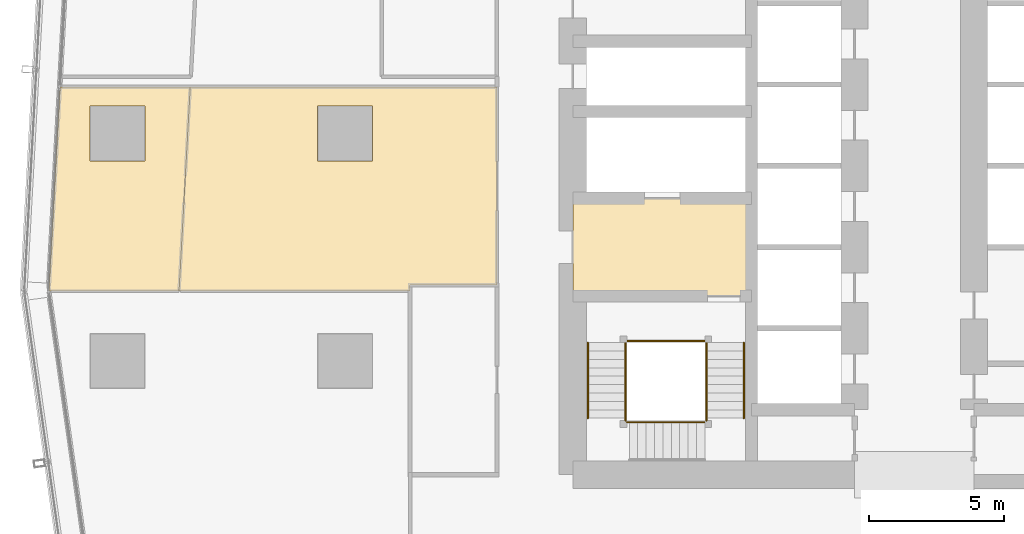
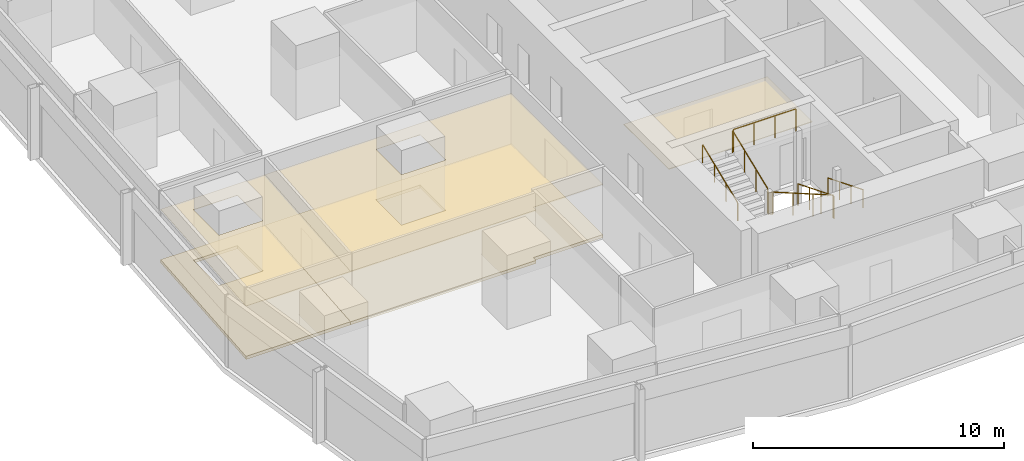
# One storey, part 34 of 39: 9 railings, 5 coverings.
"""IFC4 building model written with IfcOpenShell, lengths in metres."""

import ifcopenshell
import ifcopenshell.guid

model = None  # the IFC model being written
_history = None  # IfcOwnerHistory: only IFC2X3 demands one
_inside = {}  # id of a spatial element -> (the spatial element, [elements in it])
_under = {}  # id of a project, library or spatial element -> (it, [spatial elements below it])
_declared = {}  # id of a project -> (the project, [libraries it declares])
_typed = {}  # id of a type object -> (the type object, [elements of that type])
_made_of = {}  # id of a material, layer set ... -> (it, [elements and type objects made of it])


def new_model(schema):
    """Start an empty IFC model of exactly this schema.

    Asked for "IFC4X3", IfcOpenShell would pick the latest addendum, in which some entities
    have other attributes; the version numbers below select the first issue.
    IFC2X3 requires an IfcOwnerHistory on every rooted entity: one is made here for all.
    """
    global model, _history
    if schema == "IFC4X3":
        model = ifcopenshell.file(schema_version=(4, 3, 0, 0))
    else:
        model = ifcopenshell.file(schema=schema)
    _inside.clear()
    _under.clear()
    _declared.clear()
    _typed.clear()
    _made_of.clear()
    _history = None
    if model.schema == "IFC2X3":
        org = make("IfcOrganization", Name="unknown")
        user = make(
            "IfcPersonAndOrganization",
            ThePerson=make("IfcPerson", FamilyName="unknown"),
            TheOrganization=org,
        )
        app = make(
            "IfcApplication",
            ApplicationDeveloper=org,
            Version="unknown",
            ApplicationFullName="unknown",
            ApplicationIdentifier="unknown",
        )
        _history = make(
            "IfcOwnerHistory",
            OwningUser=user,
            OwningApplication=app,
            ChangeAction="ADDED",
            CreationDate=0,
        )
    return model


def make(cls, **values):
    """One entity of the class cls with the attributes given. An attribute that is None is left unset."""
    return model.create_entity(
        cls, **{name: value for name, value in values.items() if value is not None}
    )


def rooted(cls, **values):
    """An entity with a GlobalId (a new one), such as an element, a storey or a relation."""
    return make(cls, GlobalId=ifcopenshell.guid.new(), OwnerHistory=_history, **values)


def si_unit(unit_type, name, prefix=None):
    """IfcSIUnit, for example si_unit("LENGTHUNIT", "METRE", prefix="MILLI")."""
    return make("IfcSIUnit", UnitType=unit_type, Prefix=prefix, Name=name)


def assignment(units):
    """IfcUnitAssignment: the units of a project."""
    return None if units is None else make("IfcUnitAssignment", Units=units)


def point(xyz):
    """IfcCartesianPoint."""
    return None if xyz is None else make("IfcCartesianPoint", Coordinates=xyz)


def direction(xyz):
    """IfcDirection."""
    return None if xyz is None else make("IfcDirection", DirectionRatios=xyz)


def frame(location, z_axis=None, x_axis=None):
    """IfcAxis2Placement3D, a coordinate frame: its origin and axes. An axis left out is left unset."""
    return make(
        "IfcAxis2Placement3D",
        Location=point(location),
        Axis=direction(z_axis),
        RefDirection=direction(x_axis),
    )


def frame_2d(location, x_axis=None):
    """IfcAxis2Placement2D, a coordinate frame in the plane: its origin and x axis."""
    return make(
        "IfcAxis2Placement2D", Location=point(location), RefDirection=direction(x_axis)
    )


def origin():
    """The frame at (0, 0, 0) with its axes left unset."""
    return frame((0.0, 0.0, 0.0))


def origin_2d():
    """The frame at (0, 0) in the plane with its x axis left unset."""
    return frame_2d((0.0, 0.0))


def place(relative_to, where):
    """IfcLocalPlacement: puts the frame where relative to a parent placement (None: the world)."""
    return make(
        "IfcLocalPlacement", PlacementRelTo=relative_to, RelativePlacement=where
    )


def context(
    kind, dimensions, precision=None, world=None, true_north=None, identifier=None
):
    """IfcGeometricRepresentationContext, for example the 3D "Model" context."""
    return make(
        "IfcGeometricRepresentationContext",
        ContextIdentifier=identifier,
        ContextType=kind,
        CoordinateSpaceDimension=dimensions,
        Precision=precision,
        WorldCoordinateSystem=world,
        TrueNorth=true_north,
    )


def subcontext(parent, identifier, kind, view, scale=None):
    """IfcGeometricRepresentationSubContext, for example "Body" below "Model"."""
    return make(
        "IfcGeometricRepresentationSubContext",
        ContextIdentifier=identifier,
        ContextType=kind,
        ParentContext=parent,
        TargetScale=scale,
        TargetView=view,
    )


def project(units=None, contexts=None):
    """IfcProject with its units and contexts."""
    return rooted(
        "IfcProject",
        Name="project",
        RepresentationContexts=contexts,
        UnitsInContext=assignment(units),
    )


def spatial(cls, under=None, at=None, **own):
    """A site, building, storey or space (cls), placed at a placement, below another one or the project."""
    s = rooted(cls, ObjectPlacement=at, **own)
    if under is not None:
        _under.setdefault(under.id(), (under, []))[1].append(s)
    return s


def polyline(points):
    """IfcPolyline through the points."""
    return make("IfcPolyline", Points=[point(p) for p in points])


def profile(cls, at=None, kind="AREA", **sizes):
    """A parametric profile (cls). Its sizes go by their IFC names, for example OverallWidth=200.0."""
    return make(cls, ProfileType=kind, Position=at, **sizes)


def circle(**sizes):
    """IfcCircleProfileDef."""
    return profile("IfcCircleProfileDef", **sizes)


def outline(outer, holes=None, kind="AREA"):
    """IfcArbitraryClosedProfileDef: a profile drawn as a closed curve; with holes, ...WithVoids."""
    if holes is None:
        return make("IfcArbitraryClosedProfileDef", ProfileType=kind, OuterCurve=outer)
    return make(
        "IfcArbitraryProfileDefWithVoids",
        ProfileType=kind,
        OuterCurve=outer,
        InnerCurves=holes,
    )


def extrude(swept, where, along, depth):
    """IfcExtrudedAreaSolid: the profile swept, set in the frame where, extruded along a direction by depth."""
    return make(
        "IfcExtrudedAreaSolid",
        SweptArea=swept,
        Position=where,
        ExtrudedDirection=direction(along),
        Depth=depth,
    )


def shape(context_of_items, identifier, shape_type, items):
    """IfcShapeRepresentation: the items that make up one representation, for example the "Body"."""
    return make(
        "IfcShapeRepresentation",
        ContextOfItems=context_of_items,
        RepresentationIdentifier=identifier,
        RepresentationType=shape_type,
        Items=items,
    )


def material(Name=None, Category=None):
    """IfcMaterial."""
    return make("IfcMaterial", Name=Name, Category=Category)


def layer(
    of_material, thickness, ventilated=None, Name=None, Category=None, Priority=None
):
    """IfcMaterialLayer: one layer of a wall or slab, of a material (None: an air gap)."""
    return make(
        "IfcMaterialLayer",
        Material=of_material,
        LayerThickness=thickness,
        IsVentilated=ventilated,
        Name=Name,
        Category=Category,
        Priority=Priority,
    )


def layer_set(layers, Name=None):
    """IfcMaterialLayerSet."""
    return make("IfcMaterialLayerSet", MaterialLayers=layers, LayerSetName=Name)


def made_of(thing, what):
    """Note that an element or type object is made of a material, layer set ...; save() writes the relation."""
    if what is not None:
        _made_of.setdefault(what.id(), (what, []))[1].append(thing)
    return thing


def type_object(cls, material=None, **own):
    """A type object (cls), such as IfcWallType, which elements share."""
    return made_of(rooted(cls, **own), material)


def element(
    cls,
    number,
    at=None,
    inside=None,
    cuts=None,
    type_object=None,
    material=None,
    context=None,
    identifier="Body",
    shape_type=None,
    held_by="IfcProductDefinitionShape",
    body=None,
    shapes=None,
    **own,
):
    """One element of the class cls, such as IfcWall. Its Tag is "e" and its number.

    at: its placement. inside: the storey or other place that contains it. cuts: it is an
    opening in that element (IfcRelVoidsElement). A single representation is given by context,
    identifier, shape_type and body (its items); several are given by shapes. held_by: the class
    of the entity that holds the representations. save() writes the other relations.
    """
    e = rooted(cls, Tag="e%d" % number, ObjectPlacement=at, **own)
    if body is not None:
        shapes = [shape(context, identifier, shape_type, body)]
    if shapes is not None:
        e.Representation = make(held_by, Representations=shapes)
    if inside is not None:
        _inside.setdefault(inside.id(), (inside, []))[1].append(e)
    if cuts is not None:
        rooted(
            "IfcRelVoidsElement", RelatingBuildingElement=cuts, RelatedOpeningElement=e
        )
    if type_object is not None:
        _typed.setdefault(type_object.id(), (type_object, []))[1].append(e)
    return made_of(e, material)


def aggregate(whole, parts):
    """IfcRelAggregates: a whole, such as a stair, and the parts it consists of."""
    return rooted("IfcRelAggregates", RelatingObject=whole, RelatedObjects=parts)


def save(model, path):
    """Write the relations noted so far, then the file.

    IfcRelAggregates (storeys below a building ...), IfcRelContainedInSpatialStructure (elements
    in a storey), IfcRelDefinesByType, IfcRelAssociatesMaterial and IfcRelDeclares: one each for
    every whole, place, type object, material and project.
    """
    for whole, parts in _under.values():
        aggregate(whole, parts)
    for where, things in _inside.values():
        rooted(
            "IfcRelContainedInSpatialStructure",
            RelatedElements=things,
            RelatingStructure=where,
        )
    for kind, things in _typed.values():
        rooted("IfcRelDefinesByType", RelatedObjects=things, RelatingType=kind)
    for what, things in _made_of.values():
        rooted("IfcRelAssociatesMaterial", RelatedObjects=things, RelatingMaterial=what)
    for by, libraries in _declared.values():
        rooted("IfcRelDeclares", RelatingContext=by, RelatedDefinitions=libraries)
    model.write(path)


model = new_model("IFC4")

# Units and contexts
model_context = context("Model", 3, precision=1e-05, world=origin(), true_north=direction((0.0, 1.0)))
body_context = subcontext(model_context, "Body", "Model", "MODEL_VIEW")
ifc_project = project(units=[si_unit("LENGTHUNIT", "METRE"), si_unit("AREAUNIT", "SQUARE_METRE"), si_unit("VOLUMEUNIT", "CUBIC_METRE"), si_unit("PLANEANGLEUNIT", "RADIAN"), si_unit("MASSUNIT", "GRAM", prefix="KILO")], contexts=[model_context])

# Site, building, storey
site_placement = place(None, origin())
site = spatial("IfcSite", under=ifc_project, at=site_placement, CompositionType="ELEMENT")
building_placement = place(site_placement, origin())
building = spatial("IfcBuilding", under=site, at=building_placement, Name="Rekha Terrace Tower", CompositionType="ELEMENT")
storey_placement = place(building_placement, frame((0.0, 0.0, 151.550048828125)))
storey = spatial("IfcBuildingStorey", under=building, at=storey_placement, Name="L38", CompositionType="ELEMENT", Elevation=151.550048828125)

# Coverings
ifc_material_1 = material(Name="Mineral fibre tile in exposed grid", Category="finish")
ifc_layer_1 = layer(ifc_material_1, 0.02001953125)
ifc_layer_set_1 = layer_set([ifc_layer_1], Name="Mineral fibre tile in exposed grid")
covering_type_1 = type_object("IfcCoveringType", Name="CL1 600x1200 office grid ceiling", PredefinedType="CEILING", material=ifc_layer_set_1)
covering_1_placement = place(storey_placement, frame((0.0, 0.0, 2.579833984375)))
element("IfcCovering", 1, at=covering_1_placement, inside=storey, type_object=covering_type_1, Name="Ceiling L38-20", PredefinedType="CEILING", context=body_context, shape_type="SweptSolid", body=[
    extrude(outline(polyline([(10.6689453125, 27.781005859375), (11.08203125, 35.303955078125), (6.27490234375, 35.303955078125), (5.862060546875, 27.781005859375), (10.6689453125, 27.781005859375)]), holes=[polyline([(9.4150390625, 32.5849609375), (7.385009765625, 32.5849609375), (7.385009765625, 34.614990234375), (9.4150390625, 34.614990234375), (9.4150390625, 32.5849609375)])]), origin(), (0.0, 0.0, 1.0), 0.02001953125),
])
covering_2_placement = place(storey_placement, frame((0.0, 0.0, 2.579833984375)))
element("IfcCovering", 2, at=covering_2_placement, inside=storey, type_object=covering_type_1, Name="Ceiling L38-21", PredefinedType="CEILING", context=body_context, shape_type="SweptSolid", body=[
    extrude(outline(polyline([(22.39990234375, 28.0), (22.39990234375, 35.303955078125), (11.08203125, 35.303955078125), (10.6689453125, 27.781005859375), (19.199951171875, 27.781005859375), (19.199951171875, 28.0), (22.39990234375, 28.0)]), holes=[polyline([(17.81494140625, 34.614990234375), (17.81494140625, 32.5849609375), (15.784912109375, 32.5849609375), (15.784912109375, 34.614990234375), (17.81494140625, 34.614990234375)])]), origin(), (0.0, 0.0, 1.0), 0.02001953125),
])
ifc_material_2 = material(Name="Powder-coated aluminium pan", Category="aluminium")
ifc_layer_2 = layer(ifc_material_2, 0.030029296875)
ifc_layer_set_2 = layer_set([ifc_layer_2], Name="Powder-coated aluminium pan")
covering_type_2 = type_object("IfcCoveringType", Name="CL3 300x1200 metal pan ceiling", PredefinedType="CEILING", material=ifc_layer_set_2)
covering_3_placement = place(storey_placement, frame((0.0, 0.0, 2.570068359375)))
element("IfcCovering", 3, at=covering_3_placement, inside=storey, type_object=covering_type_2, Name="Ceiling L38-FLB1", PredefinedType="CEILING", context=body_context, shape_type="SweptSolid", body=[
    extrude(outline(polyline([(31.800048828125, 31.199951171875), (25.199951171875, 31.199951171875), (25.199951171875, 27.60009765625), (31.800048828125, 27.60009765625), (31.800048828125, 31.199951171875)])), origin(), (0.0, 0.0, 1.0), 0.02978515625),
])

# Railings
ifc_material_3 = material(Name="Stainless steel balustrade", Category="steel")
railing_type_1 = type_object("IfcRailingType", Name="GR1 1100 stair guard", PredefinedType="GUARDRAIL", material=ifc_material_3)
railing_1_placement = place(storey_placement, frame((30.135009765625, 25.875, 0.125)))
element("IfcRailing", 4, at=railing_1_placement, inside=storey, type_object=railing_type_1, Name="Guard ST1 L38 flight 1", PredefinedType="GUARDRAIL", context=body_context, shape_type="SweptSolid", body=[
    extrude(circle(Radius=0.02392578125, at=origin_2d()), frame((0.0, 0.0, 1.076171875), z_axis=(0.0, -0.927443287984, 0.373963831907), x_axis=(1.0, 0.0, 0.0)), (0.0, 0.0, 1.0), 3.00830078125),
    extrude(circle(Radius=0.02099609375, at=origin_2d()), origin(), (0.0, 0.0, 1.0), 1.052001953125),
    extrude(circle(Radius=0.02099609375, at=origin_2d()), frame((0.0, -0.929931640625, 0.375)), (0.0, 0.0, 1.0), 1.052001953125),
    extrude(circle(Radius=0.02099609375, at=origin_2d()), frame((0.0, -1.860107421875, 0.75)), (0.0, 0.0, 1.0), 1.052001953125),
    extrude(circle(Radius=0.02099609375, at=origin_2d()), frame((0.0, -2.7900390625, 1.125)), (0.0, 0.0, 1.0), 1.052001953125),
])
railing_2_placement = place(storey_placement, frame((30.074951171875, 22.93994140625, 1.375)))
element("IfcRailing", 5, at=railing_2_placement, inside=storey, type_object=railing_type_1, Name="Guard ST1 L38 flight 2", PredefinedType="GUARDRAIL", context=body_context, shape_type="SweptSolid", body=[
    extrude(circle(Radius=0.02392578125, at=origin_2d()), frame((0.0, 0.0, 1.076171875), z_axis=(-0.927443287984, 0.0, 0.373963831907), x_axis=(0.0, -1.0, 0.0)), (0.0, 0.0, 1.0), 3.00830078125),
    extrude(circle(Radius=0.02099609375, at=origin_2d()), origin(), (0.0, 0.0, 1.0), 1.052001953125),
    extrude(circle(Radius=0.02099609375, at=origin_2d()), frame((-0.929931640625, 0.0, 0.375)), (0.0, 0.0, 1.0), 1.052001953125),
    extrude(circle(Radius=0.02099609375, at=origin_2d()), frame((-1.860107421875, 0.0, 0.75)), (0.0, 0.0, 1.0), 1.052001953125),
    extrude(circle(Radius=0.02099609375, at=origin_2d()), frame((-2.7900390625, 0.0, 1.125)), (0.0, 0.0, 1.0), 1.052001953125),
])
railing_3_placement = place(storey_placement, frame((27.139892578125, 23.0849609375, 2.625)))
element("IfcRailing", 6, at=railing_3_placement, inside=storey, type_object=railing_type_1, Name="Guard ST1 L38 flight 3", PredefinedType="GUARDRAIL", context=body_context, shape_type="SweptSolid", body=[
    extrude(circle(Radius=0.02392578125, at=origin_2d()), frame((0.0, 0.0, 1.076171875), z_axis=(0.0, 0.927443287984, 0.373963831907), x_axis=(-1.0, 0.0, 0.0)), (0.0, 0.0, 1.0), 3.00830078125),
    extrude(circle(Radius=0.02099609375, at=origin_2d()), origin(), (0.0, 0.0, 1.0), 1.052001953125),
    extrude(circle(Radius=0.02099609375, at=origin_2d()), frame((0.0, 0.929931640625, 0.375)), (0.0, 0.0, 1.0), 1.052001953125),
    extrude(circle(Radius=0.02099609375, at=origin_2d()), frame((0.0, 1.860107421875, 0.75)), (0.0, 0.0, 1.0), 1.052001953125),
    extrude(circle(Radius=0.02099609375, at=origin_2d()), frame((0.0, 2.7900390625, 1.125)), (0.0, 0.0, 1.0), 1.052001953125),
])
railing_4_placement = place(storey_placement, frame((30.135009765625, 23.0849609375, 1.25)))
element("IfcRailing", 7, at=railing_4_placement, inside=storey, type_object=railing_type_1, Name="Guard ST1 L38 landing 1", PredefinedType="GUARDRAIL", context=body_context, shape_type="SweptSolid", body=[
    extrude(circle(Radius=0.02392578125, at=origin_2d()), frame((0.0, 0.0, 1.076171875), z_axis=(0.0, -1.0, 0.0), x_axis=(1.0, 0.0, 0.0)), (0.0, 0.0, 1.0), 0.0849609375),
    extrude(circle(Radius=0.02099609375, at=origin_2d()), origin(), (0.0, 0.0, 1.0), 1.052001953125),
    extrude(circle(Radius=0.02099609375, at=origin_2d()), frame((0.0, -0.0849609375, 0.0)), (0.0, 0.0, 1.0), 1.052001953125),
])
railing_5_placement = place(storey_placement, frame((27.284912109375, 22.93994140625, 2.5)))
element("IfcRailing", 8, at=railing_5_placement, inside=storey, type_object=railing_type_1, Name="Guard ST1 L38 landing 2", PredefinedType="GUARDRAIL", context=body_context, shape_type="SweptSolid", body=[
    extrude(circle(Radius=0.02392578125, at=origin_2d()), frame((0.0, 0.0, 1.076171875), z_axis=(-1.0, 0.0, 0.0), x_axis=(0.0, -1.0, 0.0)), (0.0, 0.0, 1.0), 0.0849609375),
    extrude(circle(Radius=0.02099609375, at=origin_2d()), origin(), (0.0, 0.0, 1.0), 1.052001953125),
    extrude(circle(Radius=0.02099609375, at=origin_2d()), frame((-0.0849609375, 0.0, 0.0)), (0.0, 0.0, 1.0), 1.052001953125),
])
railing_6_placement = place(storey_placement, frame((27.139892578125, 23.0849609375, 2.5)))
element("IfcRailing", 9, at=railing_6_placement, inside=storey, type_object=railing_type_1, Name="Guard ST1 L38 landing 3", PredefinedType="GUARDRAIL", context=body_context, shape_type="SweptSolid", body=[
    extrude(circle(Radius=0.02392578125, at=origin_2d()), frame((0.0, 0.0, 1.076171875), z_axis=(0.0, -1.0, 0.0), x_axis=(1.0, 0.0, 0.0)), (0.0, 0.0, 1.0), 0.0849609375),
    extrude(circle(Radius=0.02099609375, at=origin_2d()), origin(), (0.0, 0.0, 1.0), 1.052001953125),
    extrude(circle(Radius=0.02099609375, at=origin_2d()), frame((0.0, -0.0849609375, 0.0)), (0.0, 0.0, 1.0), 1.052001953125),
])
railing_7_placement = place(storey_placement, frame((30.074951171875, 25.93505859375, 3.75)))
element("IfcRailing", 10, at=railing_7_placement, inside=storey, type_object=railing_type_1, Name="Guard ST1 L38 landing 4", PredefinedType="GUARDRAIL", context=body_context, shape_type="SweptSolid", body=[
    extrude(circle(Radius=0.02392578125, at=origin_2d()), frame((0.0, 0.0, 1.076171875), z_axis=(-1.0, 0.0, 0.0), x_axis=(0.0, -1.0, 0.0)), (0.0, 0.0, 1.0), 2.875),
    extrude(circle(Radius=0.02099609375, at=origin_2d()), origin(), (0.0, 0.0, 1.0), 1.052001953125),
    extrude(circle(Radius=0.02099609375, at=origin_2d()), frame((-0.958251953125, 0.0, 0.0)), (0.0, 0.0, 1.0), 1.052001953125),
    extrude(circle(Radius=0.02099609375, at=origin_2d()), frame((-1.916748046875, 0.0, 0.0)), (0.0, 0.0, 1.0), 1.052001953125),
    extrude(circle(Radius=0.02099609375, at=origin_2d()), frame((-2.875, 0.0, 0.0)), (0.0, 0.0, 1.0), 1.052001953125),
])
ifc_material_4 = material(Name="Stainless steel tube", Category="steel")
railing_type_2 = type_object("IfcRailingType", Name="HR1 900 stair handrail", PredefinedType="HANDRAIL", material=ifc_material_4)
railing_8_placement = place(storey_placement, frame((31.514892578125, 25.875, 0.125)))
element("IfcRailing", 11, at=railing_8_placement, inside=storey, type_object=railing_type_2, Name="Handrail ST1 L38 flight 1", PredefinedType="HANDRAIL", context=body_context, shape_type="SweptSolid", body=[
    extrude(circle(Radius=0.02392578125, at=origin_2d()), frame((0.0, 0.0, 0.8759765625), z_axis=(0.0, -0.927443287984, 0.373963831907), x_axis=(1.0, 0.0, 0.0)), (0.0, 0.0, 1.0), 3.00830078125),
    extrude(circle(Radius=0.02099609375, at=origin_2d()), origin(), (0.0, 0.0, 1.0), 0.851806640625),
    extrude(circle(Radius=0.02099609375, at=origin_2d()), frame((0.0, -0.929931640625, 0.375)), (0.0, 0.0, 1.0), 0.851806640625),
    extrude(circle(Radius=0.02099609375, at=origin_2d()), frame((0.0, -1.860107421875, 0.75)), (0.0, 0.0, 1.0), 0.851806640625),
    extrude(circle(Radius=0.02099609375, at=origin_2d()), frame((0.0, -2.7900390625, 1.125)), (0.0, 0.0, 1.0), 0.851806640625),
])
railing_9_placement = place(storey_placement, frame((25.760009765625, 23.0849609375, 2.625)))
element("IfcRailing", 12, at=railing_9_placement, inside=storey, type_object=railing_type_2, Name="Handrail ST1 L38 flight 3", PredefinedType="HANDRAIL", context=body_context, shape_type="SweptSolid", body=[
    extrude(circle(Radius=0.02392578125, at=origin_2d()), frame((0.0, 0.0, 0.8759765625), z_axis=(0.0, 0.927443287984, 0.373963831907), x_axis=(-1.0, 0.0, 0.0)), (0.0, 0.0, 1.0), 3.00830078125),
    extrude(circle(Radius=0.02099609375, at=origin_2d()), origin(), (0.0, 0.0, 1.0), 0.851806640625),
    extrude(circle(Radius=0.02099609375, at=origin_2d()), frame((0.0, 0.929931640625, 0.375)), (0.0, 0.0, 1.0), 0.851806640625),
    extrude(circle(Radius=0.02099609375, at=origin_2d()), frame((0.0, 1.860107421875, 0.75)), (0.0, 0.0, 1.0), 0.851806640625),
    extrude(circle(Radius=0.02099609375, at=origin_2d()), frame((0.0, 2.7900390625, 1.125)), (0.0, 0.0, 1.0), 0.851806640625),
])

# Coverings
ifc_material_5 = material(Name="Calcium sulphate panels on steel pedestals", Category="steel")
ifc_layer_3 = layer(ifc_material_5, 0.14990234375)
ifc_layer_set_3 = layer_set([ifc_layer_3], Name="Calcium sulphate panels on steel pedestals")
covering_type_3 = type_object("IfcCoveringType", Name="RF1 150 raised access floor", PredefinedType="FLOORING", material=ifc_layer_set_3)
covering_4_placement = place(storey_placement, origin())
element("IfcCovering", 13, at=covering_4_placement, inside=storey, type_object=covering_type_3, Name="Raised floor L38-20", PredefinedType="FLOORING", context=body_context, shape_type="SweptSolid", body=[
    extrude(outline(polyline([(10.6689453125, 27.781005859375), (11.08203125, 35.303955078125), (6.27490234375, 35.303955078125), (5.862060546875, 27.781005859375), (10.6689453125, 27.781005859375)]), holes=[polyline([(9.4150390625, 32.5849609375), (7.385009765625, 32.5849609375), (7.385009765625, 34.614990234375), (9.4150390625, 34.614990234375), (9.4150390625, 32.5849609375)])]), origin(), (0.0, 0.0, 1.0), 0.14990234375),
])
covering_5_placement = place(storey_placement, origin())
element("IfcCovering", 14, at=covering_5_placement, inside=storey, type_object=covering_type_3, Name="Raised floor L38-21", PredefinedType="FLOORING", context=body_context, shape_type="SweptSolid", body=[
    extrude(outline(polyline([(22.39990234375, 28.0), (22.39990234375, 35.303955078125), (11.08203125, 35.303955078125), (10.6689453125, 27.781005859375), (19.199951171875, 27.781005859375), (19.199951171875, 28.0), (22.39990234375, 28.0)]), holes=[polyline([(17.81494140625, 34.614990234375), (17.81494140625, 32.5849609375), (15.784912109375, 32.5849609375), (15.784912109375, 34.614990234375), (17.81494140625, 34.614990234375)])]), origin(), (0.0, 0.0, 1.0), 0.14990234375),
])

save(model, "model.ifc")
